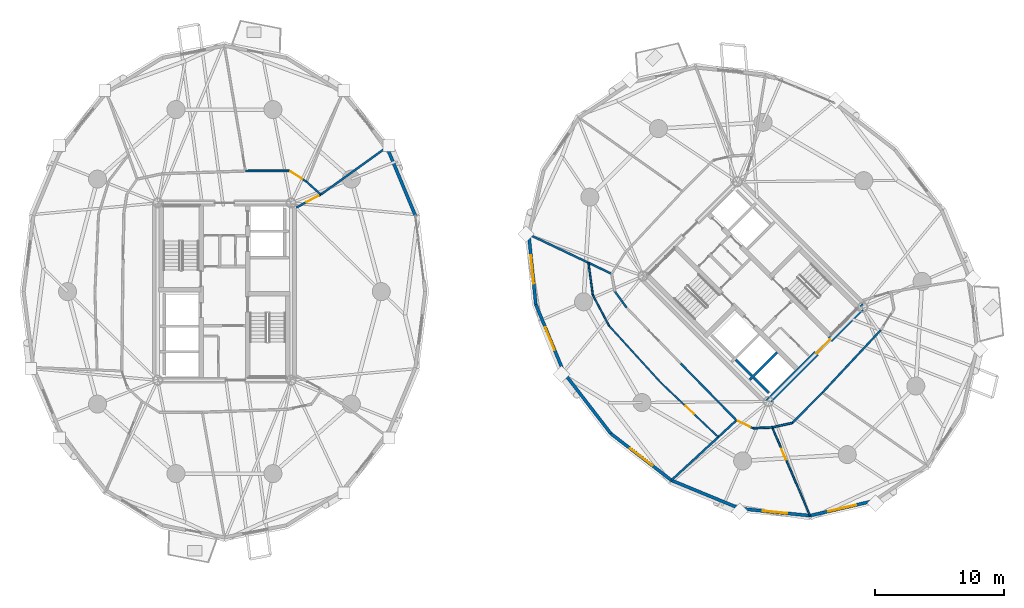
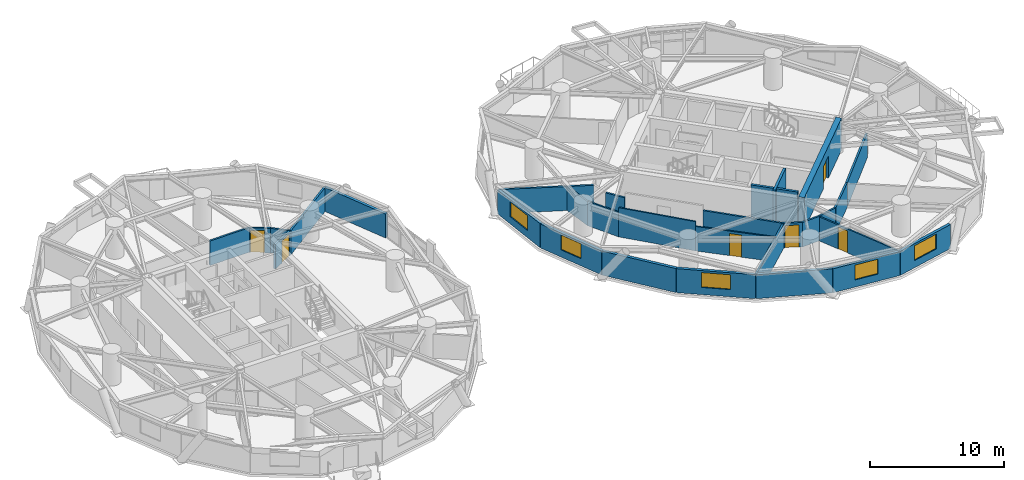
# One storey, part 12 of 18: 31 walls, 6 doors, 5 windows, 11 openings.
"""IFC4 building model written with IfcOpenShell, lengths in metres."""

from ifc_helpers import new_model, si_unit, direction, frame, frame_2d, origin, place, context, subcontext, project, spatial, rectangle, extrude, source, transform, mapped, material, layer, layer_set, type_object, element, fill, save


model = new_model("IFC4")

# Units and contexts
model_context = context("Model", 3, precision=1e-05, world=origin(), true_north=direction((0.0, 1.0)))
body_context = subcontext(model_context, "Body", "Model", "MODEL_VIEW")
ifc_project = project(units=[si_unit("LENGTHUNIT", "METRE"), si_unit("AREAUNIT", "SQUARE_METRE"), si_unit("VOLUMEUNIT", "CUBIC_METRE"), si_unit("PLANEANGLEUNIT", "RADIAN"), si_unit("MASSUNIT", "GRAM", prefix="KILO")], contexts=[model_context])

# Site, building, storey
site_placement = place(None, origin())
site = spatial("IfcSite", under=ifc_project, at=site_placement, CompositionType="ELEMENT")
building_placement = place(site_placement, origin())
building = spatial("IfcBuilding", under=site, at=building_placement, Name="Cununo Teusaquillo Station Towers", CompositionType="ELEMENT")
storey_placement = place(building_placement, frame((0.0, 0.0, 119.6201171875)))
storey = spatial("IfcBuildingStorey", under=building, at=storey_placement, Name="L38", CompositionType="ELEMENT", Elevation=119.6201171875)

# Walls
ifc_material_1 = material(Name="Concrete C50/60", Category="concrete")
ifc_layer_1 = layer(ifc_material_1, 0.199951171875)
ifc_layer_set_1 = layer_set([ifc_layer_1], Name="Concrete C50/60")
wall_type_1 = type_object("IfcWallType", Name="WL-CORE-200", PredefinedType="SHEAR", material=ifc_layer_set_1)
wall_1_placement = place(storey_placement, frame((57.2841796875, 17.6728515625, 0.0), z_axis=(0.0, 0.0, 1.0), x_axis=(0.707147878904, 0.70706568108, 0.0)))
element("IfcWall", 1, at=wall_1_placement, inside=storey, type_object=wall_type_1, Name="L38 Tower B High-Rise Lift Hoistway Divider Shear Wall", PredefinedType="SHEAR", context=body_context, shape_type="SweptSolid", body=[
    extrude(rectangle(XDim=2.97021484375, YDim=0.199951171875, at=frame_2d((1.485107421875, 0.0))), origin(), (0.0, 0.0, 1.0), 2.909912109375),
])
wall_2_placement = place(storey_placement, frame((57.41162109375, 17.969970703125, 0.0), z_axis=(0.0, 0.0, 1.0), x_axis=(-0.707106781187, 0.707106781187, 0.0)))
element("IfcWall", 2, at=wall_2_placement, inside=storey, type_object=wall_type_1, Name="L38 Tower B High-Rise Lift 2 Shaft Rear Shear Wall", PredefinedType="SHEAR", context=body_context, shape_type="SweptSolid", body=[
    extrude(rectangle(XDim=1.73486328125, YDim=0.199951171875, at=frame_2d((0.867431640625, 0.0))), origin(), (0.0, 0.0, 1.0), 2.909912109375),
])
wall_3_placement = place(storey_placement, frame((58.7373046875, 16.64404296875, 0.0), z_axis=(0.0, 0.0, 1.0), x_axis=(-0.707032117043, 0.707181437447, 0.0)))
element("IfcWall", 3, at=wall_3_placement, inside=storey, type_object=wall_type_1, Name="L38 Tower B High-Rise Lift 1 Shaft Rear Shear Wall", PredefinedType="SHEAR", context=body_context, shape_type="SweptSolid", body=[
    extrude(rectangle(XDim=1.635009765625, YDim=0.199951171875, at=frame_2d((0.8173828125, 0.0))), origin(), (0.0, 0.0, 1.0), 2.909912109375),
])

# Wall, opening, door
ifc_material_2 = material(Name="Concrete C60/75", Category="concrete")
ifc_layer_2 = layer(ifc_material_2, 0.449951171875)
ifc_layer_set_2 = layer_set([ifc_layer_2], Name="Concrete C60/75")
wall_type_2 = type_object("IfcWallType", Name="WL-CORE-450", PredefinedType="SHEAR", material=ifc_layer_set_2)
wall_4_placement = place(storey_placement, frame((58.578369140625, 15.855712890625, 0.0), z_axis=(0.0, 0.0, 1.0), x_axis=(0.707106781187, 0.707106781187, 0.0)))
wall_4 = element("IfcWall", 4, at=wall_4_placement, inside=storey, type_object=wall_type_2, Name="L38 Tower B Core Shear Wall S", PredefinedType="SHEAR", context=body_context, shape_type="SweptSolid", body=[
    extrude(rectangle(XDim=10.69970703125, YDim=0.449951171875, at=frame_2d((5.349853515625, 0.0))), origin(), (0.0, 0.0, 1.0), 2.909912109375),
])
shared_shape_1 = source(origin(), body_context, "Body", "SweptSolid", [
    extrude(rectangle(XDim=1.5, YDim=2.02001953125, at=frame_2d((0.75, 1.010009765625))), frame((0.0, 0.23486328125, 0.0), z_axis=(0.0, -1.0, 0.0), x_axis=(1.0, 0.0, 0.0)), (0.0, 0.0, 1.0), 0.469970703125),
])
opening_1_placement = place(wall_4_placement, frame((5.449951171875, 0.0, 0.0)))
opening_1 = element("IfcOpeningElement", 5, at=opening_1_placement, cuts=wall_4, Name="Opening D-LB1", PredefinedType="OPENING", context=body_context, shape_type="MappedRepresentation", body=[
    mapped(shared_shape_1, transform((0.0, 0.0, 0.0), x_axis=(1.0, 0.0, 0.0), y_axis=(0.0, 1.0, 0.0), z_axis=(0.0, 0.0, 1.0), scale=1.0)),
])
ifc_material_3 = material(Name="Galvanised fire-rated hollow steel door assembly", Category="steel")
door_type_1 = type_object("IfcDoorType", Name="DR-LOBBY-1500", OperationType="DOUBLE_DOOR_SINGLE_SWING", PredefinedType="DOOR", material=ifc_material_3)
shared_shape_2 = source(origin(), body_context, "Body", "SweptSolid", [
    extrude(rectangle(XDim=1.5, YDim=2.02001953125, at=frame_2d((0.75, 1.010009765625))), frame((0.0, 0.02490234375, 0.0), z_axis=(0.0, -1.0, 0.0), x_axis=(1.0, 0.0, 0.0)), (0.0, 0.0, 1.0), 0.050048828125),
])
door_1_placement = place(opening_1_placement, origin())
door_1 = element("IfcDoor", 6, at=door_1_placement, inside=storey, type_object=door_type_1, Name="L38 Tower B South Core Lift Lobby Door", OperationType="DOUBLE_DOOR_SINGLE_SWING", OverallHeight=2.02001953125, OverallWidth=1.5, PredefinedType="DOOR", context=body_context, shape_type="MappedRepresentation", body=[
    mapped(shared_shape_2, transform((0.0, 0.0, 0.0), x_axis=(1.0, 0.0, 0.0), y_axis=(0.0, 1.0, 0.0), z_axis=(0.0, 0.0, 1.0), scale=1.0)),
])
fill(opening_1, door_1)

# Wall
ifc_material_4 = material(Name="Precast concrete C40/50", Category="concrete")
ifc_layer_3 = layer(ifc_material_4, 0.239990234375)
ifc_layer_set_3 = layer_set([ifc_layer_3], Name="Precast concrete C40/50")
wall_type_3 = type_object("IfcWallType", Name="WL-EXT-240", PredefinedType="SOLIDWALL", material=ifc_layer_set_3)
wall_5_placement = place(storey_placement, frame((29.105224609375, 35.708984375, 0.0), z_axis=(0.0, 0.0, 1.0), x_axis=(0.384344417632, -0.923189779317, 0.0)))
element("IfcWall", 7, at=wall_5_placement, inside=storey, type_object=wall_type_3, Name="L38 Tower A Exterior Facade Wall C01", PredefinedType="SOLIDWALL", context=body_context, shape_type="SweptSolid", body=[
    extrude(rectangle(XDim=5.75830078125, YDim=0.239990234375, at=frame_2d((2.879150390625, 0.0))), origin(), (0.0, 0.0, 1.0), 2.178955078125),
])

# Wall, opening, window
wall_6_placement = place(storey_placement, frame((40.66064453125, 23.5126953125, 0.0), z_axis=(0.0, 0.0, 1.0), x_axis=(-0.10015591906, 0.994971754311, 0.0)))
wall_6 = element("IfcWall", 8, at=wall_6_placement, inside=storey, type_object=wall_type_3, Name="L38 Tower B Exterior Facade Wall C07", PredefinedType="SOLIDWALL", context=body_context, shape_type="SweptSolid", body=[
    extrude(rectangle(XDim=5.447998046875, YDim=0.239990234375, at=frame_2d((2.72412109375, 0.0))), origin(), (0.0, 0.0, 1.0), 2.178955078125),
])
shared_shape_3 = source(origin(), body_context, "Body", "SweptSolid", [
    extrude(rectangle(XDim=2.199951171875, YDim=1.35009765625, at=frame_2d((1.10009765625, 0.675048828125))), frame((0.0, 0.1298828125, 0.0), z_axis=(0.0, -1.0, 0.0), x_axis=(1.0, 0.0, 0.0)), (0.0, 0.0, 1.0), 0.260009765625),
])
opening_2_placement = place(wall_6_placement, frame((1.6240234375, 0.0, 0.64990234375)))
opening_2 = element("IfcOpeningElement", 9, at=opening_2_placement, cuts=wall_6, Name="Opening WN-01", PredefinedType="OPENING", context=body_context, shape_type="MappedRepresentation", body=[
    mapped(shared_shape_3, transform((0.0, 0.0, 0.0), x_axis=(1.0, 0.0, 0.0), y_axis=(0.0, 1.0, 0.0), z_axis=(0.0, 0.0, 1.0), scale=1.0)),
])
ifc_material_5 = material(Name="Ceramic-fritted dark low-E double glazing", Category="glass")
window_type_1 = type_object("IfcWindowType", Name="WIN-FRIT-2200", PartitioningType="DOUBLE_PANEL_VERTICAL", PredefinedType="WINDOW", material=ifc_material_5)
shared_shape_4 = source(origin(), body_context, "Body", "SweptSolid", [
    extrude(rectangle(XDim=2.199951171875, YDim=1.35009765625, at=frame_2d((1.10009765625, 0.675048828125))), frame((0.0, 0.030029296875, 0.0), z_axis=(0.0, -1.0, 0.0), x_axis=(1.0, 0.0, 0.0)), (0.0, 0.0, 1.0), 0.06005859375),
])
window_1_placement = place(opening_2_placement, origin())
window_1 = element("IfcWindow", 10, at=window_1_placement, inside=storey, type_object=window_type_1, Name="L38 Tower B Facade Window C07", OverallHeight=1.35009765625, OverallWidth=2.199951171875, PartitioningType="DOUBLE_PANEL_VERTICAL", PredefinedType="WINDOW", context=body_context, shape_type="MappedRepresentation", body=[
    mapped(shared_shape_4, transform((0.0, 0.0, 0.0), x_axis=(1.0, 0.0, 0.0), y_axis=(0.0, 1.0, 0.0), z_axis=(0.0, 0.0, 1.0), scale=1.0)),
])
fill(opening_2, window_1)

wall_7_placement = place(storey_placement, frame((42.854736328125, 18.188720703125, 0.0), z_axis=(0.0, 0.0, 1.0), x_axis=(-0.381027003055, 0.924563909604, 0.0)))
wall_7 = element("IfcWall", 11, at=wall_7_placement, inside=storey, type_object=wall_type_3, Name="L38 Tower B Exterior Facade Wall C08", PredefinedType="SOLIDWALL", context=body_context, shape_type="SweptSolid", body=[
    extrude(rectangle(XDim=5.75830078125, YDim=0.239990234375, at=frame_2d((2.879150390625, 0.0))), origin(), (0.0, 0.0, 1.0), 2.178955078125),
])
shared_shape_5 = source(origin(), body_context, "Body", "SweptSolid", [
    extrude(rectangle(XDim=1.89990234375, YDim=1.35009765625, at=frame_2d((0.949951171875, 0.675048828125))), frame((0.0, 0.1298828125, 0.0), z_axis=(0.0, -1.0, 0.0), x_axis=(1.0, 0.0, 0.0)), (0.0, 0.0, 1.0), 0.260009765625),
])
opening_3_placement = place(wall_7_placement, frame((1.928955078125, 0.0, 0.64990234375)))
opening_3 = element("IfcOpeningElement", 12, at=opening_3_placement, cuts=wall_7, Name="Opening WN-02", PredefinedType="OPENING", context=body_context, shape_type="MappedRepresentation", body=[
    mapped(shared_shape_5, transform((0.0, 0.0, 0.0), x_axis=(1.0, 0.0, 0.0), y_axis=(0.0, 1.0, 0.0), z_axis=(0.0, 0.0, 1.0), scale=1.0)),
])
ifc_material_6 = material(Name="Operable acoustic tinted low-E double glazing", Category="glass")
window_type_2 = type_object("IfcWindowType", Name="WIN-OPER-1900", PartitioningType="DOUBLE_PANEL_VERTICAL", PredefinedType="WINDOW", material=ifc_material_6)
shared_shape_6 = source(origin(), body_context, "Body", "SweptSolid", [
    extrude(rectangle(XDim=1.89990234375, YDim=1.35009765625, at=frame_2d((0.949951171875, 0.675048828125))), frame((0.0, 0.030029296875, 0.0), z_axis=(0.0, -1.0, 0.0), x_axis=(1.0, 0.0, 0.0)), (0.0, 0.0, 1.0), 0.06005859375),
])
window_2_placement = place(opening_3_placement, origin())
window_2 = element("IfcWindow", 13, at=window_2_placement, inside=storey, type_object=window_type_2, Name="L38 Tower B Facade Window C08", OverallHeight=1.35009765625, OverallWidth=1.89990234375, PartitioningType="DOUBLE_PANEL_VERTICAL", PredefinedType="WINDOW", context=body_context, shape_type="MappedRepresentation", body=[
    mapped(shared_shape_6, transform((0.0, 0.0, 0.0), x_axis=(1.0, 0.0, 0.0), y_axis=(0.0, 1.0, 0.0), z_axis=(0.0, 0.0, 1.0), scale=1.0)),
])
fill(opening_3, window_2)

# Wall
wall_8_placement = place(storey_placement, frame((46.482666015625, 13.482666015625, 0.0), z_axis=(0.0, 0.0, 1.0), x_axis=(-0.61054437102, 0.791982052206, 0.0)))
element("IfcWall", 14, at=wall_8_placement, inside=storey, type_object=wall_type_3, Name="L38 Tower B Exterior Facade Wall C09", PredefinedType="SOLIDWALL", context=body_context, shape_type="SweptSolid", body=[
    extrude(rectangle(XDim=5.942138671875, YDim=0.239990234375, at=frame_2d((2.97119140625, 0.0))), origin(), (0.0, 0.0, 1.0), 2.178955078125),
])

# Wall, opening, window
wall_9_placement = place(storey_placement, frame((51.188720703125, 9.854736328125, 0.0), z_axis=(0.0, 0.0, 1.0), x_axis=(-0.791982052206, 0.61054437102, 0.0)))
wall_9 = element("IfcWall", 15, at=wall_9_placement, inside=storey, type_object=wall_type_3, Name="L38 Tower B Exterior Facade Wall C10", PredefinedType="SOLIDWALL", context=body_context, shape_type="SweptSolid", body=[
    extrude(rectangle(XDim=5.942138671875, YDim=0.239990234375, at=frame_2d((2.97119140625, 0.0))), origin(), (0.0, 0.0, 1.0), 2.178955078125),
])
opening_4_placement = place(wall_9_placement, frame((1.87109375, 0.0, 0.64990234375)))
opening_4 = element("IfcOpeningElement", 16, at=opening_4_placement, cuts=wall_9, Name="Opening WN-01", PredefinedType="OPENING", context=body_context, shape_type="MappedRepresentation", body=[
    mapped(shared_shape_3, transform((0.0, 0.0, 0.0), x_axis=(1.0, 0.0, 0.0), y_axis=(0.0, 1.0, 0.0), z_axis=(0.0, 0.0, 1.0), scale=1.0)),
])
window_3_placement = place(opening_4_placement, origin())
window_3 = element("IfcWindow", 17, at=window_3_placement, inside=storey, type_object=window_type_1, Name="L38 Tower B Facade Window C10", OverallHeight=1.35009765625, OverallWidth=2.199951171875, PartitioningType="DOUBLE_PANEL_VERTICAL", PredefinedType="WINDOW", context=body_context, shape_type="MappedRepresentation", body=[
    mapped(shared_shape_4, transform((0.0, 0.0, 0.0), x_axis=(1.0, 0.0, 0.0), y_axis=(0.0, 1.0, 0.0), z_axis=(0.0, 0.0, 1.0), scale=1.0)),
])
fill(opening_4, window_3)

# Wall
wall_10_placement = place(storey_placement, frame((56.5126953125, 7.66064453125, 0.0), z_axis=(0.0, 0.0, 1.0), x_axis=(-0.924563909604, 0.381027003055, 0.0)))
element("IfcWall", 18, at=wall_10_placement, inside=storey, type_object=wall_type_3, Name="L38 Tower B Exterior Facade Wall C11", PredefinedType="SOLIDWALL", context=body_context, shape_type="SweptSolid", body=[
    extrude(rectangle(XDim=5.75830078125, YDim=0.239990234375, at=frame_2d((2.879150390625, 0.0))), origin(), (0.0, 0.0, 1.0), 2.178955078125),
])

# Wall, opening, window
wall_11_placement = place(storey_placement, frame((61.933349609375, 7.114990234375, 0.0), z_axis=(0.0, 0.0, 1.0), x_axis=(-0.994971754311, 0.10015591906, 0.0)))
wall_11 = element("IfcWall", 19, at=wall_11_placement, inside=storey, type_object=wall_type_3, Name="L38 Tower B Exterior Facade Wall C12", PredefinedType="SOLIDWALL", context=body_context, shape_type="SweptSolid", body=[
    extrude(rectangle(XDim=5.447998046875, YDim=0.239990234375, at=frame_2d((2.72412109375, 0.0))), origin(), (0.0, 0.0, 1.0), 2.178955078125),
])
opening_5_placement = place(wall_11_placement, frame((1.77392578125, 0.0, 0.64990234375)))
opening_5 = element("IfcOpeningElement", 20, at=opening_5_placement, cuts=wall_11, Name="Opening WN-02", PredefinedType="OPENING", context=body_context, shape_type="MappedRepresentation", body=[
    mapped(shared_shape_5, transform((0.0, 0.0, 0.0), x_axis=(1.0, 0.0, 0.0), y_axis=(0.0, 1.0, 0.0), z_axis=(0.0, 0.0, 1.0), scale=1.0)),
])
window_4_placement = place(opening_5_placement, origin())
window_4 = element("IfcWindow", 21, at=window_4_placement, inside=storey, type_object=window_type_2, Name="L38 Tower B Facade Window C12", OverallHeight=1.35009765625, OverallWidth=1.89990234375, PartitioningType="DOUBLE_PANEL_VERTICAL", PredefinedType="WINDOW", context=body_context, shape_type="MappedRepresentation", body=[
    mapped(shared_shape_6, transform((0.0, 0.0, 0.0), x_axis=(1.0, 0.0, 0.0), y_axis=(0.0, 1.0, 0.0), z_axis=(0.0, 0.0, 1.0), scale=1.0)),
])
fill(opening_5, window_4)

wall_12_placement = place(storey_placement, frame((66.919921875, 8.27099609375, 0.0), z_axis=(0.0, 0.0, 1.0), x_axis=(-0.974165631126, -0.225834725257, 0.0)))
wall_12 = element("IfcWall", 22, at=wall_12_placement, inside=storey, type_object=wall_type_3, Name="L38 Tower B Exterior Facade Wall C13", PredefinedType="SOLIDWALL", context=body_context, shape_type="SweptSolid", body=[
    extrude(rectangle(XDim=5.118896484375, YDim=0.239990234375, at=frame_2d((2.5595703125, 0.0))), origin(), (0.0, 0.0, 1.0), 2.178955078125),
])
opening_6_placement = place(wall_12_placement, frame((1.458984375, 0.0, 0.64990234375)))
opening_6 = element("IfcOpeningElement", 23, at=opening_6_placement, cuts=wall_12, Name="Opening WN-01", PredefinedType="OPENING", context=body_context, shape_type="MappedRepresentation", body=[
    mapped(shared_shape_3, transform((0.0, 0.0, 0.0), x_axis=(1.0, 0.0, 0.0), y_axis=(0.0, 1.0, 0.0), z_axis=(0.0, 0.0, 1.0), scale=1.0)),
])
window_5_placement = place(opening_6_placement, origin())
window_5 = element("IfcWindow", 24, at=window_5_placement, inside=storey, type_object=window_type_1, Name="L38 Tower B Facade Window C13", OverallHeight=1.35009765625, OverallWidth=2.199951171875, PartitioningType="DOUBLE_PANEL_VERTICAL", PredefinedType="WINDOW", context=body_context, shape_type="MappedRepresentation", body=[
    mapped(shared_shape_4, transform((0.0, 0.0, 0.0), x_axis=(1.0, 0.0, 0.0), y_axis=(0.0, 1.0, 0.0), z_axis=(0.0, 0.0, 1.0), scale=1.0)),
])
fill(opening_6, window_5)

# Walls
ifc_material_7 = material(Name="Fire-rated gypsum plasterboard partition assembly", Category="gypsum")
ifc_layer_4 = layer(ifc_material_7, 0.125)
ifc_layer_set_4 = layer_set([ifc_layer_4], Name="Fire-rated gypsum plasterboard partition assembly")
wall_type_4 = type_object("IfcWallType", Name="WL-PART-125", PredefinedType="PARTITIONING", material=ifc_layer_set_4)
wall_13_placement = place(storey_placement, frame((44.748779296875, 26.735595703125, 0.0), z_axis=(0.0, 0.0, 1.0), x_axis=(0.132518524874, -0.991180528746, 0.0)))
element("IfcWall", 25, at=wall_13_placement, inside=storey, type_object=wall_type_4, Name="L38 Tower B Corporate Strategy Boardroom Concentric Partition Wall C07", PredefinedType="PARTITIONING", context=body_context, shape_type="SweptSolid", body=[
    extrude(rectangle(XDim=2.52392578125, YDim=0.125, at=frame_2d((1.261962890625, 0.0))), origin(), (0.0, 0.0, 1.0), 2.178955078125),
])
wall_14_placement = place(storey_placement, frame((45.083251953125, 24.23388671875, 0.0), z_axis=(0.0, 0.0, 1.0), x_axis=(0.468015958378, -0.883720013751, 0.0)))
element("IfcWall", 26, at=wall_14_placement, inside=storey, type_object=wall_type_4, Name="L38 Tower B Corporate Strategy Boardroom Concentric Partition Wall C08", PredefinedType="PARTITIONING", context=body_context, shape_type="SweptSolid", body=[
    extrude(rectangle(XDim=2.71142578125, YDim=0.125, at=frame_2d((1.355712890625, 0.0))), origin(), (0.0, 0.0, 1.0), 2.224853515625),
])
wall_15_placement = place(storey_placement, frame((46.352294921875, 21.837646484375, 0.0), z_axis=(0.0, 0.0, 1.0), x_axis=(0.673416949194, -0.739262884594, 0.0)))
element("IfcWall", 27, at=wall_15_placement, inside=storey, type_object=wall_type_4, Name="L38 Tower B Corporate Strategy Boardroom Concentric Partition Wall C09", PredefinedType="PARTITIONING", context=body_context, shape_type="SweptSolid", body=[
    extrude(rectangle(XDim=6.006591796875, YDim=0.125, at=frame_2d((3.00341796875, 0.0))), origin(), (0.0, 0.0, 1.0), 2.65478515625),
])

# Wall, opening, door
wall_16_placement = place(storey_placement, frame((50.397216796875, 17.397216796875, 0.0), z_axis=(0.0, 0.0, 1.0), x_axis=(0.726427828833, -0.687242758781, 0.0)))
wall_16 = element("IfcWall", 28, at=wall_16_placement, inside=storey, type_object=wall_type_4, Name="L38 Tower B Corporate Strategy Boardroom Concentric Partition Wall C10", PredefinedType="PARTITIONING", context=body_context, shape_type="SweptSolid", body=[
    extrude(rectangle(XDim=6.087158203125, YDim=0.125, at=frame_2d((3.04345703125, 0.0))), origin(), (0.0, 0.0, 1.0), 2.224853515625),
])
shared_shape_7 = source(origin(), body_context, "Body", "SweptSolid", [
    extrude(rectangle(XDim=0.89990234375, YDim=2.0048828125, at=frame_2d((0.449951171875, 1.00244140625))), frame((0.0, 0.072509765625, 0.0), z_axis=(0.0, -1.0, 0.0), x_axis=(1.0, 0.0, 0.0)), (0.0, 0.0, 1.0), 0.14501953125),
])
opening_7_placement = place(wall_16_placement, frame((2.593505859375, 0.0, 0.0)))
opening_7 = element("IfcOpeningElement", 29, at=opening_7_placement, cuts=wall_16, Name="Opening D-IN1", PredefinedType="OPENING", context=body_context, shape_type="MappedRepresentation", body=[
    mapped(shared_shape_7, transform((0.0, 0.0, 0.0), x_axis=(1.0, 0.0, 0.0), y_axis=(0.0, 1.0, 0.0), z_axis=(0.0, 0.0, 1.0), scale=1.0)),
])
ifc_material_8 = material(Name="Acoustic solid-core hardwood leaf assembly", Category="wood")
door_type_2 = type_object("IfcDoorType", Name="DR-INT-900", OperationType="NOTDEFINED", PredefinedType="DOOR", material=ifc_material_8)
shared_shape_8 = source(origin(), body_context, "Body", "SweptSolid", [
    extrude(rectangle(XDim=0.89990234375, YDim=2.0048828125, at=frame_2d((0.449951171875, 1.00244140625))), frame((0.0, 0.02490234375, 0.0), z_axis=(0.0, -1.0, 0.0), x_axis=(1.0, 0.0, 0.0)), (0.0, 0.0, 1.0), 0.050048828125),
])
door_2_placement = place(opening_7_placement, origin())
door_2 = element("IfcDoor", 30, at=door_2_placement, inside=storey, type_object=door_type_2, Name="L38 Tower B Corporate Strategy Boardroom Connecting Door", OperationType="SINGLE_SWING_RIGHT", OverallHeight=2.0048828125, OverallWidth=0.89990234375, PredefinedType="DOOR", context=body_context, shape_type="MappedRepresentation", body=[
    mapped(shared_shape_8, transform((0.0, 0.0, 0.0), x_axis=(1.0, 0.0, 0.0), y_axis=(0.0, 1.0, 0.0), z_axis=(0.0, 0.0, 1.0), scale=1.0)),
])
fill(opening_7, door_2)

wall_17_placement = place(storey_placement, frame((59.008056640625, 13.962890625, 0.0), z_axis=(0.0, 0.0, 1.0), x_axis=(0.393439207333, -0.919350635032, 0.0)))
wall_17 = element("IfcWall", 31, at=wall_17_placement, inside=storey, type_object=wall_type_4, Name="L38 Tower B Treasury & Corporate Finance Practice Suite Subdividing Wall", PredefinedType="PARTITIONING", context=body_context, shape_type="SweptSolid", body=[
    extrude(rectangle(XDim=7.427001953125, YDim=0.125, at=frame_2d((3.71337890625, 0.0))), origin(), (0.0, 0.0, 1.0), 2.178955078125),
])
opening_8_placement = place(wall_17_placement, frame((1.800048828125, 0.0, 0.0)))
opening_8 = element("IfcOpeningElement", 32, at=opening_8_placement, cuts=wall_17, Name="Opening D-IN1", PredefinedType="OPENING", context=body_context, shape_type="MappedRepresentation", body=[
    mapped(shared_shape_7, transform((0.0, 0.0, 0.0), x_axis=(1.0, 0.0, 0.0), y_axis=(0.0, 1.0, 0.0), z_axis=(0.0, 0.0, 1.0), scale=1.0)),
])
door_3_placement = place(opening_8_placement, origin())
door_3 = element("IfcDoor", 33, at=door_3_placement, inside=storey, type_object=door_type_2, Name="L38 Tower B Treasury & Corporate Finance Practice Suite Connecting Door", OperationType="SINGLE_SWING_RIGHT", OverallHeight=2.0048828125, OverallWidth=0.89990234375, PredefinedType="DOOR", context=body_context, shape_type="MappedRepresentation", body=[
    mapped(shared_shape_8, transform((0.0, 0.0, 0.0), x_axis=(1.0, 0.0, 0.0), y_axis=(0.0, 1.0, 0.0), z_axis=(0.0, 0.0, 1.0), scale=1.0)),
])
fill(opening_8, door_3)

# Wall
ifc_material_9 = material(Name="Fire-rated gypsum plasterboard partition assembly", Category="gypsum")
ifc_layer_5 = layer(ifc_material_9, 0.14990234375)
ifc_layer_set_5 = layer_set([ifc_layer_5], Name="Fire-rated gypsum plasterboard partition assembly")
wall_type_5 = type_object("IfcWallType", Name="WL-PART-150", PredefinedType="PARTITIONING", material=ifc_layer_set_5)
wall_18_placement = place(storey_placement, frame((23.979736328125, 32.02685546875, 0.0), z_axis=(0.0, 0.0, 1.0), x_axis=(-0.742353224332, 0.670008724065, 0.0)))
element("IfcWall", 34, at=wall_18_placement, inside=storey, type_object=wall_type_5, Name="L38 Tower A Corridor Ring Wall C02", PredefinedType="PARTITIONING", context=body_context, shape_type="SweptSolid", body=[
    extrude(rectangle(XDim=1.48486328125, YDim=0.14990234375, at=frame_2d((0.742431640625, 0.0))), origin(), (0.0, 0.0, 1.0), 2.224853515625),
])

# Wall, opening, door
wall_19_placement = place(storey_placement, frame((22.87744140625, 33.021728515625, 0.0), z_axis=(0.0, 0.0, 1.0), x_axis=(-0.845895608855, 0.533348496689, 0.0)))
wall_19 = element("IfcWall", 35, at=wall_19_placement, inside=storey, type_object=wall_type_5, Name="L38 Tower A Corridor Ring Wall C03", PredefinedType="PARTITIONING", context=body_context, shape_type="SweptSolid", body=[
    extrude(rectangle(XDim=1.5966796875, YDim=0.14990234375, at=frame_2d((0.79833984375, 0.0))), origin(), (0.0, 0.0, 1.0), 2.224853515625),
])
shared_shape_9 = source(origin(), body_context, "Body", "SweptSolid", [
    extrude(rectangle(XDim=1.050048828125, YDim=2.014892578125, at=frame_2d((0.52490234375, 1.00732421875))), frame((0.0, 0.0849609375, 0.0), z_axis=(0.0, -1.0, 0.0), x_axis=(1.0, 0.0, 0.0)), (0.0, 0.0, 1.0), 0.169921875),
])
opening_9_placement = place(wall_19_placement, frame((0.4267578125, 0.0, 0.0)))
opening_9 = element("IfcOpeningElement", 36, at=opening_9_placement, cuts=wall_19, Name="Opening D-SU1", PredefinedType="OPENING", context=body_context, shape_type="MappedRepresentation", body=[
    mapped(shared_shape_9, transform((0.0, 0.0, 0.0), x_axis=(1.0, 0.0, 0.0), y_axis=(0.0, 1.0, 0.0), z_axis=(0.0, 0.0, 1.0), scale=1.0)),
])
ifc_material_10 = material(Name="Acoustic solid-core hardwood leaf assembly", Category="wood")
door_type_3 = type_object("IfcDoorType", Name="DR-SUITE-1050", OperationType="NOTDEFINED", PredefinedType="DOOR", material=ifc_material_10)
shared_shape_10 = source(origin(), body_context, "Body", "SweptSolid", [
    extrude(rectangle(XDim=1.050048828125, YDim=2.014892578125, at=frame_2d((0.52490234375, 1.00732421875))), frame((0.0, 0.02490234375, 0.0), z_axis=(0.0, -1.0, 0.0), x_axis=(1.0, 0.0, 0.0)), (0.0, 0.0, 1.0), 0.050048828125),
])
door_4_placement = place(opening_9_placement, origin())
door_4 = element("IfcDoor", 37, at=door_4_placement, inside=storey, type_object=door_type_3, Name="L38 Tower A Executive C-Suite Corner Office Entrance Door", OperationType="SINGLE_SWING_LEFT", OverallHeight=2.014892578125, OverallWidth=1.050048828125, PredefinedType="DOOR", context=body_context, shape_type="MappedRepresentation", body=[
    mapped(shared_shape_10, transform((0.0, 0.0, 0.0), x_axis=(1.0, 0.0, 0.0), y_axis=(0.0, 1.0, 0.0), z_axis=(0.0, 0.0, 1.0), scale=1.0)),
])
fill(opening_9, door_4)

# Walls
wall_20_placement = place(storey_placement, frame((21.52685546875, 33.873291015625, 0.0), z_axis=(0.0, 0.0, 1.0), x_axis=(-0.999991838845, -0.004040079574, 0.0)))
element("IfcWall", 38, at=wall_20_placement, inside=storey, type_object=wall_type_5, Name="L38 Tower A Corridor Ring Wall C04", PredefinedType="PARTITIONING", context=body_context, shape_type="SweptSolid", body=[
    extrude(rectangle(XDim=3.384033203125, YDim=0.14990234375, at=frame_2d((1.69189453125, 0.0))), origin(), (0.0, 0.0, 1.0), 2.224853515625),
])
wall_21_placement = place(storey_placement, frame((46.79541015625, 24.512939453125, 0.0), z_axis=(0.0, 0.0, 1.0), x_axis=(0.585628197524, -0.810579801294, 0.0)))
element("IfcWall", 39, at=wall_21_placement, inside=storey, type_object=wall_type_5, Name="L38 Tower B Corridor Ring Wall C08", PredefinedType="PARTITIONING", context=body_context, shape_type="SweptSolid", body=[
    extrude(rectangle(XDim=1.55419921875, YDim=0.14990234375, at=frame_2d((0.777099609375, 0.0))), origin(), (0.0, 0.0, 1.0), 2.224853515625),
])
wall_22_placement = place(storey_placement, frame((51.913818359375, 18.913818359375, 0.0), z_axis=(0.0, 0.0, 1.0), x_axis=(0.699999313799, -0.714143515465, 0.0)))
element("IfcWall", 40, at=wall_22_placement, inside=storey, type_object=wall_type_5, Name="L38 Tower B Corridor Ring Wall C10", PredefinedType="PARTITIONING", context=body_context, shape_type="SweptSolid", body=[
    extrude(rectangle(XDim=6.162109375, YDim=0.14990234375, at=frame_2d((3.0810546875, 0.0))), origin(), (0.0, 0.0, 1.0), 2.224853515625),
])

# Wall, opening, door
wall_23_placement = place(storey_placement, frame((56.227294921875, 14.51318359375, 0.0), z_axis=(0.0, 0.0, 1.0), x_axis=(0.901477579283, -0.432825801044, 0.0)))
wall_23 = element("IfcWall", 41, at=wall_23_placement, inside=storey, type_object=wall_type_5, Name="L38 Tower B Corridor Ring Wall C11", PredefinedType="PARTITIONING", context=body_context, shape_type="SweptSolid", body=[
    extrude(rectangle(XDim=1.42431640625, YDim=0.14990234375, at=frame_2d((0.712158203125, 0.0))), origin(), (0.0, 0.0, 1.0), 2.224853515625),
])
opening_10_placement = place(wall_23_placement, frame((0.1201171875, 0.0, 0.0)))
opening_10 = element("IfcOpeningElement", 42, at=opening_10_placement, cuts=wall_23, Name="Opening D-SU1", PredefinedType="OPENING", context=body_context, shape_type="MappedRepresentation", body=[
    mapped(shared_shape_9, transform((0.0, 0.0, 0.0), x_axis=(1.0, 0.0, 0.0), y_axis=(0.0, 1.0, 0.0), z_axis=(0.0, 0.0, 1.0), scale=1.0)),
])
door_5_placement = place(opening_10_placement, origin())
door_5 = element("IfcDoor", 43, at=door_5_placement, inside=storey, type_object=door_type_3, Name="L38 Tower B Treasury & Corporate Finance Practice Entrance Door", OperationType="SINGLE_SWING_LEFT", OverallHeight=2.014892578125, OverallWidth=1.050048828125, PredefinedType="DOOR", context=body_context, shape_type="MappedRepresentation", body=[
    mapped(shared_shape_10, transform((0.0, 0.0, 0.0), x_axis=(1.0, 0.0, 0.0), y_axis=(0.0, 1.0, 0.0), z_axis=(0.0, 0.0, 1.0), scale=1.0)),
])
fill(opening_10, door_5)

# Walls
wall_24_placement = place(storey_placement, frame((57.51123046875, 13.896728515625, 0.0), z_axis=(0.0, 0.0, 1.0), x_axis=(0.999024538494, 0.044158481476, 0.0)))
element("IfcWall", 44, at=wall_24_placement, inside=storey, type_object=wall_type_5, Name="L38 Tower B Corridor Ring Wall C12", PredefinedType="PARTITIONING", context=body_context, shape_type="SweptSolid", body=[
    extrude(rectangle(XDim=1.498291015625, YDim=0.14990234375, at=frame_2d((0.7490234375, 0.0))), origin(), (0.0, 0.0, 1.0), 2.224853515625),
])
wall_25_placement = place(storey_placement, frame((59.008056640625, 13.962890625, 0.0), z_axis=(0.0, 0.0, 1.0), x_axis=(0.976020856791, 0.21767702476, 0.0)))
element("IfcWall", 45, at=wall_25_placement, inside=storey, type_object=wall_type_5, Name="L38 Tower B Corridor Ring Wall C13", PredefinedType="PARTITIONING", context=body_context, shape_type="SweptSolid", body=[
    extrude(rectangle(XDim=1.592529296875, YDim=0.14990234375, at=frame_2d((0.79638671875, 0.0))), origin(), (0.0, 0.0, 1.0), 2.224853515625),
])
wall_26_placement = place(storey_placement, frame((60.5625, 14.3095703125, 0.0), z_axis=(0.0, 0.0, 1.0), x_axis=(0.704566236161, 0.709638230975, 0.0)))
element("IfcWall", 46, at=wall_26_placement, inside=storey, type_object=wall_type_5, Name="L38 Tower B Corridor Ring Wall C14", PredefinedType="PARTITIONING", context=body_context, shape_type="SweptSolid", body=[
    extrude(rectangle(XDim=3.3212890625, YDim=0.14990234375, at=frame_2d((1.66064453125, 0.0))), origin(), (0.0, 0.0, 1.0), 2.224853515625),
])
wall_27_placement = place(storey_placement, frame((62.902587890625, 16.66650390625, 0.0), z_axis=(0.0, 0.0, 1.0), x_axis=(0.682371947497, 0.731005147225, 0.0)))
element("IfcWall", 47, at=wall_27_placement, inside=storey, type_object=wall_type_5, Name="L38 Tower B Corridor Ring Wall C15", PredefinedType="PARTITIONING", context=body_context, shape_type="SweptSolid", body=[
    extrude(rectangle(XDim=6.6416015625, YDim=0.14990234375, at=frame_2d((3.32080078125, 0.0))), origin(), (0.0, 0.0, 1.0), 2.224853515625),
])
ifc_material_11 = material(Name="Fire-rated gypsum plasterboard partition assembly", Category="gypsum")
ifc_layer_6 = layer(ifc_material_11, 0.159912109375)
ifc_layer_set_6 = layer_set([ifc_layer_6], Name="Fire-rated gypsum plasterboard partition assembly")
wall_type_6 = type_object("IfcWallType", Name="WL-PART-160", PredefinedType="PARTITIONING", material=ifc_layer_set_6)
wall_28_placement = place(storey_placement, frame((23.979736328125, 32.02685546875, 0.0), z_axis=(0.0, 0.0, 1.0), x_axis=(0.812162479031, 0.58343132214, 0.0)))
element("IfcWall", 48, at=wall_28_placement, inside=storey, type_object=wall_type_6, Name="L38 Tower A Radial Suite Partition R01", PredefinedType="PARTITIONING", context=body_context, shape_type="SweptSolid", body=[
    extrude(rectangle(XDim=6.291015625, YDim=0.159912109375, at=frame_2d((3.1455078125, 0.0))), origin(), (0.0, 0.0, 1.0), 2.178955078125),
])

# Wall, opening, door
wall_29_placement = place(storey_placement, frame((22.074951171875, 31.02490234375, 0.0), z_axis=(0.0, 0.0, 1.0), x_axis=(0.885026466958, 0.465540710125, 0.0)))
wall_29 = element("IfcWall", 49, at=wall_29_placement, inside=storey, type_object=wall_type_6, Name="L38 Tower A East Salon Corridor Portal Wall NE", PredefinedType="PARTITIONING", context=body_context, shape_type="SweptSolid", body=[
    extrude(rectangle(XDim=2.15234375, YDim=0.159912109375, at=frame_2d((1.076171875, 0.0))), origin(), (0.0, 0.0, 1.0), 2.224853515625),
])
shared_shape_11 = source(origin(), body_context, "Body", "SweptSolid", [
    extrude(rectangle(XDim=1.050048828125, YDim=2.014892578125, at=frame_2d((0.52490234375, 1.00732421875))), frame((0.0, 0.08984375, 0.0), z_axis=(0.0, -1.0, 0.0), x_axis=(1.0, 0.0, 0.0)), (0.0, 0.0, 1.0), 0.179931640625),
])
opening_11_placement = place(wall_29_placement, frame((0.902099609375, 0.0, 0.0)))
opening_11 = element("IfcOpeningElement", 50, at=opening_11_placement, cuts=wall_29, Name="Opening D-SU1", PredefinedType="OPENING", context=body_context, shape_type="MappedRepresentation", body=[
    mapped(shared_shape_11, transform((0.0, 0.0, 0.0), x_axis=(1.0, 0.0, 0.0), y_axis=(0.0, 1.0, 0.0), z_axis=(0.0, 0.0, 1.0), scale=1.0)),
])
door_6_placement = place(opening_11_placement, origin())
door_6 = element("IfcDoor", 51, at=door_6_placement, inside=storey, type_object=door_type_3, Name="L38 Tower A East Panorama Sky Salon Door NE", OperationType="SINGLE_SWING_LEFT", OverallHeight=2.014892578125, OverallWidth=1.050048828125, PredefinedType="DOOR", context=body_context, shape_type="MappedRepresentation", body=[
    mapped(shared_shape_10, transform((0.0, 0.0, 0.0), x_axis=(1.0, 0.0, 0.0), y_axis=(0.0, 1.0, 0.0), z_axis=(0.0, 0.0, 1.0), scale=1.0)),
])
fill(opening_11, door_6)

# Walls
wall_30_placement = place(storey_placement, frame((46.543212890625, 25.882080078125, 0.0), z_axis=(0.0, 0.0, 1.0), x_axis=(-0.903054383171, 0.429526228576, 0.0)))
element("IfcWall", 52, at=wall_30_placement, inside=storey, type_object=wall_type_6, Name="L38 Tower B Radial Suite Partition R03", PredefinedType="PARTITIONING", context=body_context, shape_type="SweptSolid", body=[
    extrude(rectangle(XDim=7.096435546875, YDim=0.159912109375, at=frame_2d((3.54833984375, 0.0))), origin(), (0.0, 0.0, 1.0), 2.178955078125),
])
wall_31_placement = place(storey_placement, frame((56.227294921875, 14.51318359375, 0.0), z_axis=(0.0, 0.0, 1.0), x_axis=(-0.734951144322, -0.678120059768, 0.0)))
element("IfcWall", 53, at=wall_31_placement, inside=storey, type_object=wall_type_6, Name="L38 Tower B Radial Suite Partition R04", PredefinedType="PARTITIONING", context=body_context, shape_type="SweptSolid", body=[
    extrude(rectangle(XDim=6.84326171875, YDim=0.159912109375, at=frame_2d((3.421630859375, 0.0))), origin(), (0.0, 0.0, 1.0), 2.178955078125),
])

save(model, "model.ifc")
